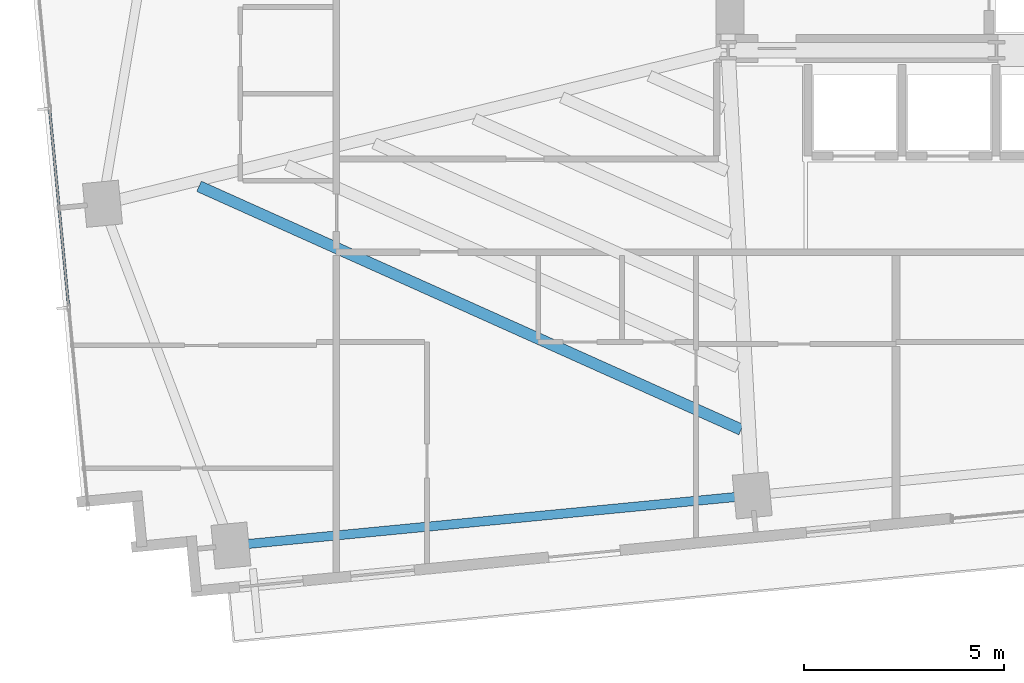
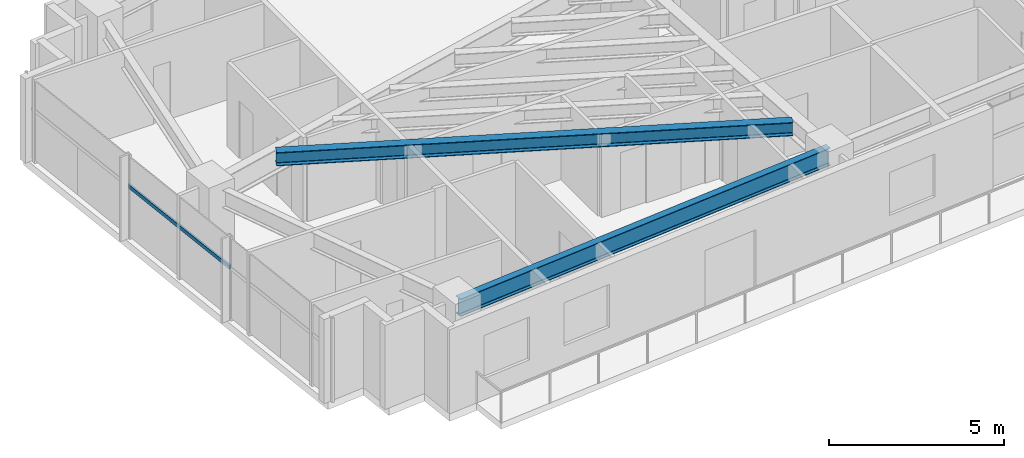
# One storey, part 3 of 25: 2 beams, 1 member, 1 element without a shape of its own.
"""IFC4 building model written with IfcOpenShell, lengths in metres."""

from ifc_helpers import new_model, si_unit, direction, frame, origin, origin_2d, place, context, subcontext, project, spatial, hollow_rectangle, i_section, extrude, source, transform, mapped, material, material_profile, profile_set, type_object, type_shapes, element, aggregate, save


model = new_model("IFC4")

# Units and contexts
model_context = context("Model", 3, precision=1e-05, world=origin(), true_north=direction((0.0, 1.0)))
body_context = subcontext(model_context, "Body", "Model", "MODEL_VIEW")
ifc_project = project(units=[si_unit("LENGTHUNIT", "METRE"), si_unit("AREAUNIT", "SQUARE_METRE"), si_unit("VOLUMEUNIT", "CUBIC_METRE"), si_unit("PLANEANGLEUNIT", "RADIAN"), si_unit("MASSUNIT", "GRAM", prefix="KILO")], contexts=[model_context])

# Site, building, storey
site_placement = place(None, origin())
site = spatial("IfcSite", under=ifc_project, at=site_placement, CompositionType="ELEMENT")
building_placement = place(site_placement, origin())
building = spatial("IfcBuilding", under=site, at=building_placement, Name="Astriad Promenade Condominiums", CompositionType="ELEMENT")
storey_placement = place(building_placement, frame((0.0, 0.0, 81.0)))
storey = spatial("IfcBuildingStorey", under=building, at=storey_placement, Name="L22", CompositionType="ELEMENT", Elevation=81.0)

# Beams
ifc_material_1 = material(Name="Steel ASTM A992 Grade 50", Category="steel")
ifc_material_profile_1 = material_profile(ifc_material_1, i_section(OverallWidth=0.22900390625, OverallDepth=0.612060546875, WebThickness=0.011962890625, FlangeThickness=0.01953125, FilletRadius=0.017822265625, at=origin_2d()), Name="W24X84")
ifc_profile_set_1 = profile_set([ifc_material_profile_1], Name="Steel ASTM A992 Grade 50")
beam_type_1 = type_object("IfcBeamType", Name="STEEL SPANDREL BEAM W24X84", PredefinedType="SPANDREL", material=ifc_profile_set_1)
shared_shape_1 = source(origin(), body_context, "Body", "SweptSolid", [
    extrude(i_section(OverallWidth=0.22900390625, OverallDepth=0.612060546875, WebThickness=0.011962890625, FlangeThickness=0.01953125, FilletRadius=0.017822265625, at=origin_2d()), origin(), (0.0, 0.0, 1.0), 13.02001953125),
])
type_shapes(beam_type_1, [shared_shape_1])
beam_1_placement = place(storey_placement, frame((14.005859375, 5.01318359375, 2.6337890625), z_axis=(0.995395138946, 0.095856754395, 0.0), x_axis=(-0.095856754395, 0.995395138946, 0.0)))
element("IfcBeam", 1, at=beam_1_placement, inside=storey, type_object=beam_type_1, Name="Perimeter Spandrel Beam SP-S1-L22", PredefinedType="SPANDREL", context=body_context, shape_type="MappedRepresentation", body=[
    mapped(shared_shape_1, transform((0.0, 0.0, 0.0), scale=1.0)),
])
ifc_material_profile_2 = material_profile(ifc_material_1, i_section(OverallWidth=0.283203125, OverallDepth=0.47216796875, WebThickness=0.013671875, FlangeThickness=0.022216796875, FilletRadius=0.01513671875, at=origin_2d()), Name="W18X97")
ifc_profile_set_2 = profile_set([ifc_material_profile_2], Name="Steel ASTM A992 Grade 50")
beam_type_2 = type_object("IfcBeamType", Name="STEEL FLOOR JOIST W18X97", PredefinedType="JOIST", material=ifc_profile_set_2)
shared_shape_2 = source(origin(), body_context, "Body", "SweptSolid", [
    extrude(i_section(OverallWidth=0.283203125, OverallDepth=0.47216796875, WebThickness=0.013671875, FlangeThickness=0.022216796875, FilletRadius=0.01513671875, at=origin_2d()), origin(), (0.0, 0.0, 1.0), 14.863037109375),
])
type_shapes(beam_type_2, [shared_shape_2])
beam_2_placement = place(storey_placement, frame((13.168212890625, 13.996826171875, 2.703857421875), z_axis=(0.912311114602, -0.409497777984, 0.0), x_axis=(0.409497777984, 0.912311114602, 0.0)))
element("IfcBeam", 2, at=beam_2_placement, inside=storey, type_object=beam_type_2, Name="Secondary Composite Floor Joist JW1-1-L22", PredefinedType="JOIST", context=body_context, shape_type="MappedRepresentation", body=[
    mapped(shared_shape_2, transform((0.0, 0.0, 0.0), scale=1.0)),
])

# Curtain wall, member
ifc_material_2 = material(Name="Anodised aluminium Black Dark Glass Unitised", Category="aluminium")
curtain_wall_type = type_object("IfcCurtainWallType", Name="CW-B2-DARK", PredefinedType="USERDEFINED", material=ifc_material_2)
curtain_wall_placement = place(storey_placement, origin())
curtain_wall = element("IfcCurtainWall", 3, at=curtain_wall_placement, inside=storey, type_object=curtain_wall_type, Name="CW-L22-W", ObjectType="UNITISED_CURTAIN_WALL", PredefinedType="USERDEFINED")
ifc_material_3 = material(Name="Anodised aluminium 6063-T6 Black", Category="aluminium")
ifc_material_profile_3 = material_profile(ifc_material_3, hollow_rectangle(XDim=0.06494140625, YDim=0.1298828125, WallThickness=0.00390625, at=origin_2d()), Name="ALU-TRN-65X130")
ifc_profile_set_3 = profile_set([ifc_material_profile_3], Name="Anodised aluminium 6063-T6 Black")
member_type = type_object("IfcMemberType", Name="TRN-ALU-TRN-65X130", PredefinedType="USERDEFINED", material=ifc_profile_set_3)
shared_shape_3 = source(origin(), body_context, "Body", "SweptSolid", [
    extrude(hollow_rectangle(XDim=0.06494140625, YDim=0.1298828125, WallThickness=0.00390625, at=origin_2d()), origin(), (0.0, 0.0, 1.0), 5.0),
])
type_shapes(member_type, [shared_shape_3])
member_placement = place(storey_placement, frame((9.90625, 10.9677734375, 1.82275390625), z_axis=(-0.095848242264, 0.995395958629, 0.0), x_axis=(-0.995395958629, -0.095848242264, 0.0)))
member = element("IfcMember", 4, at=member_placement, type_object=member_type, Name="CW-L22-W-TRN-01-0", ObjectType="TRANSOM", PredefinedType="USERDEFINED", context=body_context, shape_type="MappedRepresentation", body=[
    mapped(shared_shape_3, transform((0.0, 0.0, 0.0), scale=1.0)),
])
aggregate(curtain_wall, [member])

save(model, "model.ifc")
